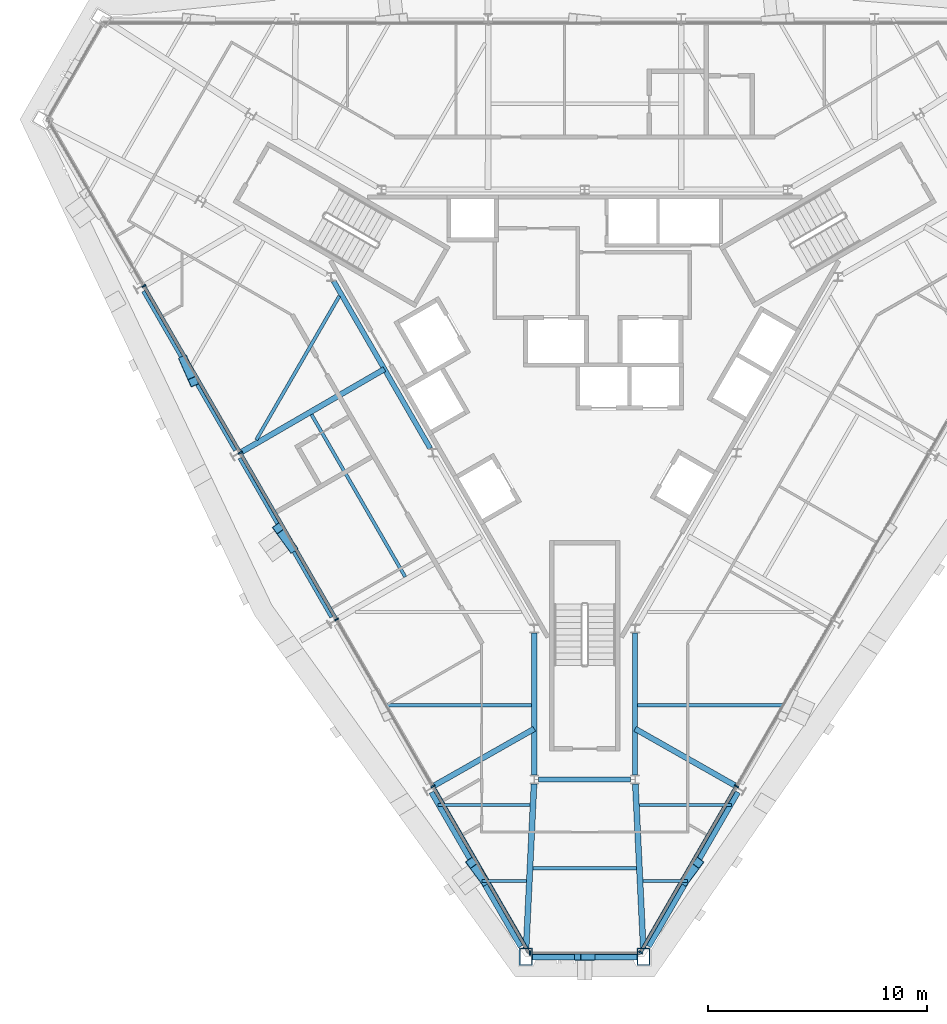
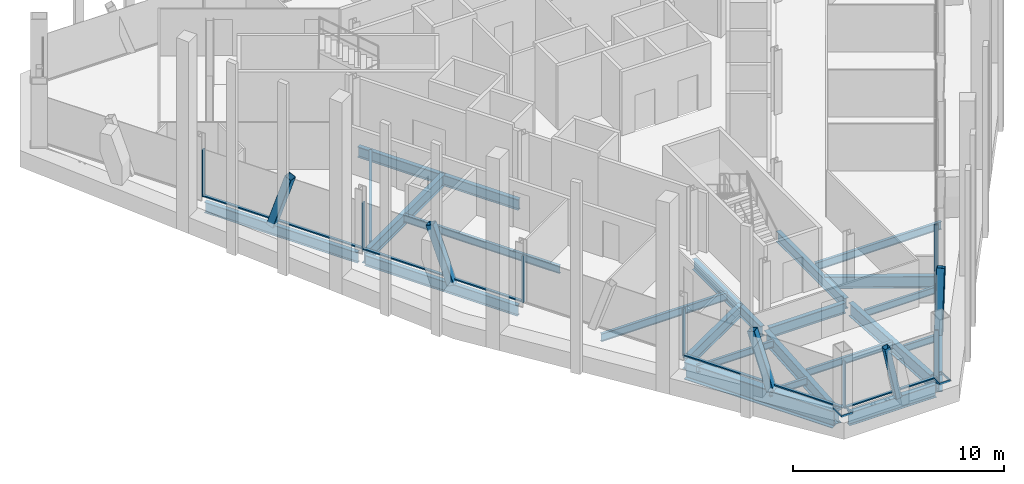
# One storey, part 3 of 14: 23 beams, 19 members, 3 elements without a shape of their own.
"""IFC4 building model written with IfcOpenShell, lengths in metres."""

from ifc_helpers import new_model, si_unit, direction, frame, origin, origin_2d, place, context, subcontext, project, spatial, rectangle, hollow_rectangle, i_section, extrude, material, material_profile, profile_set, type_object, element, aggregate, save


model = new_model("IFC4")

# Units and contexts
model_context = context("Model", 3, precision=1e-05, world=origin(), true_north=direction((0.0, 1.0)))
body_context = subcontext(model_context, "Body", "Model", "MODEL_VIEW")
ifc_project = project(units=[si_unit("LENGTHUNIT", "METRE"), si_unit("AREAUNIT", "SQUARE_METRE"), si_unit("VOLUMEUNIT", "CUBIC_METRE"), si_unit("PLANEANGLEUNIT", "RADIAN"), si_unit("MASSUNIT", "GRAM", prefix="KILO")], contexts=[model_context])

# Site, building, storey
site_placement = place(None, origin())
site = spatial("IfcSite", under=ifc_project, at=site_placement, CompositionType="ELEMENT")
building_placement = place(site_placement, origin())
building = spatial("IfcBuilding", under=site, at=building_placement, Name="Verrane Prism Tower", CompositionType="ELEMENT")
storey_placement = place(building_placement, frame((0.0, 0.0, 217.5)))
storey = spatial("IfcBuildingStorey", under=building, at=storey_placement, Name="L54", CompositionType="ELEMENT", Elevation=217.5)

# Member
ifc_material_1 = material(Name="Steel A500 Grade C", Category="steel")
ifc_material_profile_1 = material_profile(ifc_material_1, hollow_rectangle(XDim=0.3046875, YDim=0.3046875, WallThickness=0.0126953125, InnerFilletRadius=0.00634765625, OuterFilletRadius=0.01904296875, at=origin_2d()), Name="HSS12x12x1/2")
ifc_profile_set_1 = profile_set([ifc_material_profile_1], Name="Steel A500 Grade C")
member_type_1 = type_object("IfcMemberType", Name="Chamfer brace HSS12x12x1/2", PredefinedType="BRACE", material=ifc_profile_set_1)
member_1_placement = place(storey_placement, frame((0.32275390625, -26.989990234375, -0.24267578125), z_axis=(-0.203343050417, 0.0, 0.97910755479), x_axis=(0.0, -1.0, 0.0)))
element("IfcMember", 1, at=member_1_placement, inside=storey, type_object=member_type_1, Name="Chamfer brace S0 L54", PredefinedType="BRACE", context=body_context, shape_type="SweptSolid", body=[
    extrude(hollow_rectangle(XDim=0.3046875, YDim=0.3046875, WallThickness=0.0126953125, InnerFilletRadius=0.00634765625, OuterFilletRadius=0.01904296875, at=origin_2d()), origin(), (0.0, 0.0, 1.0), 3.174560546875),
])

# Beams
ifc_material_2 = material(Name="Steel A992", Category="steel")
ifc_material_profile_2 = material_profile(ifc_material_2, i_section(OverallWidth=0.2666015625, OverallDepth=0.7568359375, WebThickness=0.013916015625, FlangeThickness=0.019287109375, FilletRadius=0.0166015625, at=origin_2d()), Name="W30x108")
ifc_profile_set_2 = profile_set([ifc_material_profile_2], Name="Steel A992")
beam_type_1 = type_object("IfcBeamType", Name="Chamfer spandrel beam W30x108", PredefinedType="SPANDREL", material=ifc_profile_set_2)
beam_1_placement = place(storey_placement, frame((-2.389892578125, -26.989990234375, -0.53857421875), z_axis=(1.0, 0.0, 0.0), x_axis=(0.0, 1.0, 0.0)))
element("IfcBeam", 2, at=beam_1_placement, inside=storey, type_object=beam_type_1, Name="Chamfer spandrel beam L54", PredefinedType="SPANDREL", context=body_context, shape_type="SweptSolid", body=[
    extrude(i_section(OverallWidth=0.2666015625, OverallDepth=0.7568359375, WebThickness=0.013916015625, FlangeThickness=0.019287109375, FilletRadius=0.0166015625, at=origin_2d()), origin(), (0.0, 0.0, 1.0), 4.77978515625),
])
ifc_material_3 = material(Name="Steel A992", Category="steel")
ifc_material_profile_3 = material_profile(ifc_material_3, i_section(OverallWidth=0.23046875, OverallDepth=0.6171875, WebThickness=0.01318359375, FlangeThickness=0.022216796875, FilletRadius=0.012939453125, at=origin_2d()), Name="W24x94")
ifc_profile_set_3 = profile_set([ifc_material_profile_3], Name="Steel A992")
beam_type_2 = type_object("IfcBeamType", Name="Core ring girder W24x94", PredefinedType="BEAM", material=ifc_profile_set_3)
beam_2_placement = place(storey_placement, frame((-11.448486328125, 3.826904296875, -0.55859375), z_axis=(0.499967007444, -0.866044451208, 0.0), x_axis=(0.866044451208, 0.499967007444, 0.0)))
element("IfcBeam", 3, at=beam_2_placement, inside=storey, type_object=beam_type_2, Name="Core ring girder L54", PredefinedType="BEAM", context=body_context, shape_type="SweptSolid", body=[
    extrude(i_section(OverallWidth=0.23046875, OverallDepth=0.6171875, WebThickness=0.01318359375, FlangeThickness=0.022216796875, FilletRadius=0.012939453125, at=origin_2d()), origin(), (0.0, 0.0, 1.0), 8.814453125),
])
beam_3_placement = place(storey_placement, frame((-2.300048828125, -12.212890625, -0.55859375), z_axis=(0.0, -1.0, 0.0), x_axis=(1.0, 0.0, 0.0)))
element("IfcBeam", 4, at=beam_3_placement, inside=storey, type_object=beam_type_2, Name="Core ring girder L54", PredefinedType="BEAM", context=body_context, shape_type="SweptSolid", body=[
    extrude(i_section(OverallWidth=0.23046875, OverallDepth=0.6171875, WebThickness=0.01318359375, FlangeThickness=0.022216796875, FilletRadius=0.012939453125, at=origin_2d()), origin(), (0.0, 0.0, 1.0), 6.48779296875),
])
beam_4_placement = place(storey_placement, frame((-2.099365234375, -18.89990234375, -0.55859375), z_axis=(1.0, 0.0, 0.0), x_axis=(0.0, 1.0, 0.0)))
element("IfcBeam", 5, at=beam_4_placement, inside=storey, type_object=beam_type_2, Name="Core ring girder L54", PredefinedType="BEAM", context=body_context, shape_type="SweptSolid", body=[
    extrude(i_section(OverallWidth=0.23046875, OverallDepth=0.6171875, WebThickness=0.01318359375, FlangeThickness=0.022216796875, FilletRadius=0.012939453125, at=origin_2d()), origin(), (0.0, 0.0, 1.0), 4.19873046875),
])
beam_5_placement = place(storey_placement, frame((2.300048828125, -18.70068359375, -0.55859375), z_axis=(0.0, 1.0, 0.0), x_axis=(-1.0, 0.0, 0.0)))
element("IfcBeam", 6, at=beam_5_placement, inside=storey, type_object=beam_type_2, Name="Core ring girder L54", PredefinedType="BEAM", context=body_context, shape_type="SweptSolid", body=[
    extrude(i_section(OverallWidth=0.23046875, OverallDepth=0.6171875, WebThickness=0.01318359375, FlangeThickness=0.022216796875, FilletRadius=0.012939453125, at=origin_2d()), origin(), (0.0, 0.0, 1.0), 6.48779296875),
])
ifc_material_4 = material(Name="Steel A992", Category="steel")
ifc_material_profile_4 = material_profile(ifc_material_4, i_section(OverallWidth=0.2666015625, OverallDepth=0.76708984375, WebThickness=0.014892578125, FlangeThickness=0.023681640625, FilletRadius=0.0166015625, at=origin_2d()), Name="W30x124")
ifc_profile_set_4 = profile_set([ifc_material_profile_4], Name="Steel A992")
beam_type_3 = type_object("IfcBeamType", Name="Corner girder W30x124", PredefinedType="BEAM", material=ifc_profile_set_4)
for number, where, z_axis, x_axis, name in (
    (7, (-2.670654296875, -26.590087890625, -0.603515625), (0.048148251624, 0.998840200365, 0.0), (-0.998840200365, 0.048148251624, 0.0), "Corner girder L54"),
    (8, (2.670654296875, -26.590087890625, -0.603515625), (-0.048148251624, 0.998840200365, 0.0), (-0.998840200365, -0.048148251624, 0.0), "Corner girder L54"),
):
    element("IfcBeam", number, at=place(storey_placement, frame(where, z_axis=z_axis, x_axis=x_axis)), inside=storey, type_object=beam_type_3, Name=name, PredefinedType="BEAM", context=body_context, shape_type="SweptSolid", body=[
        extrude(i_section(OverallWidth=0.2666015625, OverallDepth=0.76708984375, WebThickness=0.014892578125, FlangeThickness=0.023681640625, FilletRadius=0.0166015625, at=origin_2d()), origin(), (0.0, 0.0, 1.0), 7.49951171875),
    ])

# Members
ifc_material_5 = material(Name="Steel A500 Grade C", Category="steel")
ifc_material_profile_5 = material_profile(ifc_material_5, hollow_rectangle(XDim=0.406494140625, YDim=0.406494140625, WallThickness=0.01904296875, InnerFilletRadius=0.009521484375, OuterFilletRadius=0.028564453125, at=origin_2d()), Name="HSS16x16x3/4")
ifc_profile_set_5 = profile_set([ifc_material_profile_5], Name="Steel A500 Grade C")
member_type_2 = type_object("IfcMemberType", Name="Facade brace HSS16x16x3/4", PredefinedType="BRACE", material=ifc_profile_set_5)
member_2_placement = place(storey_placement, frame((-18.274169921875, 0.220458984375, -0.216796875), z_axis=(0.128284524914, -0.290179450483, 0.948334839171), x_axis=(0.914610036673, 0.404337088105, 0.0)))
element("IfcMember", 9, at=member_2_placement, inside=storey, type_object=member_type_2, Name="Facade brace SW1 L54", PredefinedType="BRACE", context=body_context, shape_type="SweptSolid", body=[
    extrude(hollow_rectangle(XDim=0.406494140625, YDim=0.406494140625, WallThickness=0.01904296875, InnerFilletRadius=0.009521484375, OuterFilletRadius=0.028564453125, at=origin_2d()), origin(), (0.0, 0.0, 1.0), 3.370361328125),
])
member_3_placement = place(storey_placement, frame((-13.339599609375, -8.32666015625, -0.216796875), z_axis=(-0.190108323497, 0.261308589141, 0.946349114533), x_axis=(-0.808639342556, -0.588304694585, 0.0)))
element("IfcMember", 10, at=member_3_placement, inside=storey, type_object=member_type_2, Name="Facade brace SW2 L54", PredefinedType="BRACE", context=body_context, shape_type="SweptSolid", body=[
    extrude(hollow_rectangle(XDim=0.406494140625, YDim=0.406494140625, WallThickness=0.01904296875, InnerFilletRadius=0.009521484375, OuterFilletRadius=0.028564453125, at=origin_2d()), origin(), (0.0, 0.0, 1.0), 3.37744140625),
])
for number, where, z_axis, x_axis, name in (
    (11, (-4.56884765625, -23.510009765625, -0.27001953125), (-0.176905902149, 0.238744056104, 0.954832748422), (-0.803463093765, -0.595354564069, 0.0), "Facade brace SW4 L54"),
    (12, (4.56884765625, -23.510009765625, -0.27001953125), (0.176905902149, 0.238744056104, 0.954832748422), (-0.803463093765, 0.595354564069, 0.0), "Facade brace SE0 L54"),
):
    element("IfcMember", number, at=place(storey_placement, frame(where, z_axis=z_axis, x_axis=x_axis)), inside=storey, type_object=member_type_2, Name=name, PredefinedType="BRACE", context=body_context, shape_type="SweptSolid", body=[
        extrude(hollow_rectangle(XDim=0.406494140625, YDim=0.406494140625, WallThickness=0.01904296875, InnerFilletRadius=0.009521484375, OuterFilletRadius=0.028564453125, at=origin_2d()), origin(), (0.0, 0.0, 1.0), 3.4033203125),
    ])

# Beams
ifc_material_6 = material(Name="Steel A992", Category="steel")
ifc_material_profile_6 = material_profile(ifc_material_6, i_section(OverallWidth=0.140380859375, OverallDepth=0.40380859375, WebThickness=0.007080078125, FlangeThickness=0.01123046875, FilletRadius=0.01025390625, at=origin_2d()), Name="W16x31")
ifc_profile_set_6 = profile_set([ifc_material_profile_6], Name="Steel A992")
beam_type_4 = type_object("IfcBeamType", Name="Floor beam W16x31", PredefinedType="BEAM", material=ifc_profile_set_6)
beam_6_placement = place(storey_placement, frame((-4.693603515625, -23.523193359375, -0.36181640625), z_axis=(1.0, 0.0, 0.0), x_axis=(0.0, 1.0, 0.0)))
element("IfcBeam", 13, at=beam_6_placement, inside=storey, type_object=beam_type_4, Name="Floor beam L54", PredefinedType="BEAM", context=body_context, shape_type="SweptSolid", body=[
    extrude(i_section(OverallWidth=0.140380859375, OverallDepth=0.40380859375, WebThickness=0.007080078125, FlangeThickness=0.01123046875, FilletRadius=0.01025390625, at=origin_2d()), origin(), (0.0, 0.0, 1.0), 2.037109375),
])
beam_7_placement = place(storey_placement, frame((-6.697265625, -20.056640625, -0.36181640625), z_axis=(1.0, 0.0, 0.0), x_axis=(0.0, 1.0, 0.0)))
element("IfcBeam", 14, at=beam_7_placement, inside=storey, type_object=beam_type_4, Name="Floor beam L54", PredefinedType="BEAM", context=body_context, shape_type="SweptSolid", body=[
    extrude(i_section(OverallWidth=0.140380859375, OverallDepth=0.40380859375, WebThickness=0.007080078125, FlangeThickness=0.01123046875, FilletRadius=0.01025390625, at=origin_2d()), origin(), (0.0, 0.0, 1.0), 4.207763671875),
])
beam_8_placement = place(storey_placement, frame((2.656494140625, -23.523193359375, -0.36181640625), z_axis=(1.0, 0.0, 0.0), x_axis=(0.0, 1.0, 0.0)))
element("IfcBeam", 15, at=beam_8_placement, inside=storey, type_object=beam_type_4, Name="Floor beam L54", PredefinedType="BEAM", context=body_context, shape_type="SweptSolid", body=[
    extrude(i_section(OverallWidth=0.140380859375, OverallDepth=0.40380859375, WebThickness=0.007080078125, FlangeThickness=0.01123046875, FilletRadius=0.01025390625, at=origin_2d()), origin(), (0.0, 0.0, 1.0), 2.037109375),
])
beam_9_placement = place(storey_placement, frame((2.489501953125, -20.056640625, -0.36181640625), z_axis=(1.0, 0.0, 0.0), x_axis=(0.0, 1.0, 0.0)))
element("IfcBeam", 16, at=beam_9_placement, inside=storey, type_object=beam_type_4, Name="Floor beam L54", PredefinedType="BEAM", context=body_context, shape_type="SweptSolid", body=[
    extrude(i_section(OverallWidth=0.140380859375, OverallDepth=0.40380859375, WebThickness=0.007080078125, FlangeThickness=0.01123046875, FilletRadius=0.01025390625, at=origin_2d()), origin(), (0.0, 0.0, 1.0), 4.207763671875),
])
beam_10_placement = place(storey_placement, frame((-2.361328125, -22.945068359375, -0.36181640625), z_axis=(1.0, 0.0, 0.0), x_axis=(0.0, 1.0, 0.0)))
element("IfcBeam", 17, at=beam_10_placement, inside=storey, type_object=beam_type_4, Name="Floor beam L54", PredefinedType="BEAM", context=body_context, shape_type="SweptSolid", body=[
    extrude(i_section(OverallWidth=0.140380859375, OverallDepth=0.40380859375, WebThickness=0.007080078125, FlangeThickness=0.01123046875, FilletRadius=0.01025390625, at=origin_2d()), origin(), (0.0, 0.0, 1.0), 4.72265625),
])
ifc_material_7 = material(Name="Steel A992", Category="steel")
ifc_material_profile_7 = material_profile(ifc_material_7, i_section(OverallWidth=0.15234375, OverallDepth=0.449462890625, WebThickness=0.007568359375, FlangeThickness=0.0107421875, FilletRadius=0.01025390625, at=origin_2d()), Name="W18x35")
ifc_profile_set_7 = profile_set([ifc_material_profile_7], Name="Steel A992")
beam_type_5 = type_object("IfcBeamType", Name="Floor beam W18x35", PredefinedType="BEAM", material=ifc_profile_set_7)
beam_11_placement = place(storey_placement, frame((-14.975341796875, -3.413818359375, -0.384765625), z_axis=(0.50001820224, 0.866014894461, 0.0), x_axis=(-0.866014894461, 0.50001820224, 0.0)))
element("IfcBeam", 18, at=beam_11_placement, inside=storey, type_object=beam_type_5, Name="Floor beam L54", PredefinedType="BEAM", context=body_context, shape_type="SweptSolid", body=[
    extrude(i_section(OverallWidth=0.15234375, OverallDepth=0.449462890625, WebThickness=0.007568359375, FlangeThickness=0.0107421875, FilletRadius=0.01025390625, at=origin_2d()), origin(), (0.0, 0.0, 1.0), 7.574462890625),
])
beam_12_placement = place(storey_placement, frame((-8.18359375, -9.659912109375, -0.384765625), z_axis=(-0.500005905661, 0.866021994122, 0.0), x_axis=(-0.866021994122, -0.500005905661, 0.0)))
element("IfcBeam", 19, at=beam_12_placement, inside=storey, type_object=beam_type_5, Name="Floor beam L54", PredefinedType="BEAM", context=body_context, shape_type="SweptSolid", body=[
    extrude(i_section(OverallWidth=0.15234375, OverallDepth=0.449462890625, WebThickness=0.007568359375, FlangeThickness=0.0107421875, FilletRadius=0.01025390625, at=origin_2d()), origin(), (0.0, 0.0, 1.0), 8.54931640625),
])
for number, where, z_axis, x_axis, name in (
    (20, (-9.3251953125, -15.510009765625, -0.384765625), (1.0, 0.0, 0.0), (0.0, 1.0, 0.0), "Floor beam L54"),
    (21, (2.4150390625, -15.510009765625, -0.384765625), (1.0, 0.0, 0.0), (0.0, 1.0, 0.0), "Floor beam L54"),
):
    element("IfcBeam", number, at=place(storey_placement, frame(where, z_axis=z_axis, x_axis=x_axis)), inside=storey, type_object=beam_type_5, Name=name, PredefinedType="BEAM", context=body_context, shape_type="SweptSolid", body=[
        extrude(i_section(OverallWidth=0.15234375, OverallDepth=0.449462890625, WebThickness=0.007568359375, FlangeThickness=0.0107421875, FilletRadius=0.01025390625, at=origin_2d()), origin(), (0.0, 0.0, 1.0), 6.91015625),
    ])

# Members
ifc_material_8 = material(Name="Steel A572 Grade 50", Category="steel")
ifc_material_profile_8 = material_profile(ifc_material_8, hollow_rectangle(XDim=0.60009765625, YDim=0.800048828125, WallThickness=0.050048828125, at=origin_2d()), Name="BOX 800x600x50")
ifc_profile_set_8 = profile_set([ifc_material_profile_8], Name="Steel A572 Grade 50")
member_type_3 = type_object("IfcMemberType", Name="Kink node BOX 800x600x50", PredefinedType="COLLAR", material=ifc_profile_set_8)
for number, where, z_axis, x_axis, name in (
    (22, (-2.6865234375, -26.98388671875, -0.06494140625), (0.0, 0.0, 1.0), (-1.0, 0.0, 0.0), "Kink node MC4 L54"),
    (23, (2.6865234375, -26.98388671875, -0.06494140625), (0.0, 0.0, 1.0), (-1.0, 0.0, 0.0), "Kink node MC4 L54"),
):
    element("IfcMember", number, at=place(storey_placement, frame(where, z_axis=z_axis, x_axis=x_axis)), inside=storey, type_object=member_type_3, Name=name, PredefinedType="COLLAR", context=body_context, shape_type="SweptSolid", body=[
        extrude(hollow_rectangle(XDim=0.60009765625, YDim=0.800048828125, WallThickness=0.050048828125, at=origin_2d()), origin(), (0.0, 0.0, 1.0), 0.1298828125),
    ])

# Curtain wall, members
ifc_material_9 = material(Name="Aluminium framed insulated glazing", Category="aluminium")
curtain_wall_type = type_object("IfcCurtainWallType", Name="Curtain wall CW-A 8400 module", PredefinedType="NOTDEFINED", material=ifc_material_9)
curtain_wall_1_placement = place(storey_placement, origin())
curtain_wall_1 = element("IfcCurtainWall", 24, at=curtain_wall_1_placement, inside=storey, type_object=curtain_wall_type, Name="Glazed curtain wall south-west face L54", PredefinedType="NOTDEFINED")
ifc_material_10 = material(Name="Aluminium alloy 6063-T6", Category="aluminium")
ifc_material_profile_9 = material_profile(ifc_material_10, rectangle(XDim=0.199951171875, YDim=0.070068359375, at=origin_2d()), Name="Mullion 70x200 aluminium")
ifc_profile_set_9 = profile_set([ifc_material_profile_9], Name="Aluminium alloy 6063-T6")
member_type_4 = type_object("IfcMemberType", Name="Mullion 70x200 aluminium", PredefinedType="MULLION", material=ifc_profile_set_9)
member_4_placement = place(storey_placement, frame((-20.09814453125, 3.607421875, 0.0), z_axis=(0.0, 0.0, 1.0), x_axis=(0.866024862365, 0.500000937764, 0.0)))
member_4 = element("IfcMember", 25, at=member_4_placement, type_object=member_type_4, Name="CW54.4 mullion 2", PredefinedType="MULLION", context=body_context, shape_type="SweptSolid", body=[
    extrude(rectangle(XDim=0.199951171875, YDim=0.070068359375, at=origin_2d()), origin(), (0.0, 0.0, 1.0), 2.712890625),
])
member_5_placement = place(storey_placement, frame((-15.70703125, -3.998046875, 0.0), z_axis=(0.0, 0.0, 1.0), x_axis=(0.866024862365, 0.500000937764, 0.0)))
member_5 = element("IfcMember", 26, at=member_5_placement, type_object=member_type_4, Name="CW54.4 mullion 3", PredefinedType="MULLION", context=body_context, shape_type="SweptSolid", body=[
    extrude(rectangle(XDim=0.199951171875, YDim=0.070068359375, at=origin_2d()), origin(), (0.0, 0.0, 1.0), 2.712890625),
])
member_6_placement = place(storey_placement, frame((-11.31591796875, -11.603759765625, 0.0), z_axis=(0.0, 0.0, 1.0), x_axis=(0.866024862365, 0.500000937764, 0.0)))
member_6 = element("IfcMember", 27, at=member_6_placement, type_object=member_type_4, Name="CW54.4 mullion 4", PredefinedType="MULLION", context=body_context, shape_type="SweptSolid", body=[
    extrude(rectangle(XDim=0.199951171875, YDim=0.070068359375, at=origin_2d()), origin(), (0.0, 0.0, 1.0), 2.712890625),
])
member_7_placement = place(storey_placement, frame((-6.925048828125, -19.209228515625, 0.0), z_axis=(0.0, 0.0, 1.0), x_axis=(0.866024862365, 0.500000937764, 0.0)))
member_7 = element("IfcMember", 28, at=member_7_placement, type_object=member_type_4, Name="CW54.4 mullion 5", PredefinedType="MULLION", context=body_context, shape_type="SweptSolid", body=[
    extrude(rectangle(XDim=0.199951171875, YDim=0.070068359375, at=origin_2d()), origin(), (0.0, 0.0, 1.0), 2.712890625),
])

# Curtain wall, member
curtain_wall_2_placement = place(storey_placement, origin())
curtain_wall_2 = element("IfcCurtainWall", 29, at=curtain_wall_2_placement, inside=storey, type_object=curtain_wall_type, Name="Glazed curtain wall south corner L54", PredefinedType="NOTDEFINED")
member_8_placement = place(storey_placement, frame((-2.498779296875, -26.814697265625, 0.0), z_axis=(0.0, 0.0, 1.0), x_axis=(0.0, 1.0, 0.0)))
member_8 = element("IfcMember", 30, at=member_8_placement, type_object=member_type_4, Name="CW54.5 mullion 1", PredefinedType="MULLION", context=body_context, shape_type="SweptSolid", body=[
    extrude(rectangle(XDim=0.199951171875, YDim=0.070068359375, at=origin_2d()), origin(), (0.0, 0.0, 1.0), 2.712890625),
])

# Curtain wall, members
curtain_wall_3_placement = place(storey_placement, origin())
curtain_wall_3 = element("IfcCurtainWall", 31, at=curtain_wall_3_placement, inside=storey, type_object=curtain_wall_type, Name="Glazed curtain wall south-east face L54", PredefinedType="NOTDEFINED")
member_9_placement = place(storey_placement, frame((2.551513671875, -26.784423828125, 0.0), z_axis=(0.0, 0.0, 1.0), x_axis=(-0.866024862365, 0.500000937764, 0.0)))
member_9 = element("IfcMember", 32, at=member_9_placement, type_object=member_type_4, Name="CW54.6 mullion 1", PredefinedType="MULLION", context=body_context, shape_type="SweptSolid", body=[
    extrude(rectangle(XDim=0.199951171875, YDim=0.070068359375, at=origin_2d()), origin(), (0.0, 0.0, 1.0), 2.712890625),
])
member_10_placement = place(storey_placement, frame((6.925048828125, -19.209228515625, 0.0), z_axis=(0.0, 0.0, 1.0), x_axis=(-0.866024862365, 0.500000937764, 0.0)))
member_10 = element("IfcMember", 33, at=member_10_placement, type_object=member_type_4, Name="CW54.6 mullion 2", PredefinedType="MULLION", context=body_context, shape_type="SweptSolid", body=[
    extrude(rectangle(XDim=0.199951171875, YDim=0.070068359375, at=origin_2d()), origin(), (0.0, 0.0, 1.0), 2.712890625),
])

# Beams
ifc_material_11 = material(Name="Steel A992", Category="steel")
ifc_material_profile_10 = material_profile(ifc_material_11, i_section(OverallWidth=0.25390625, OverallDepth=0.683349609375, WebThickness=0.012451171875, FlangeThickness=0.01904296875, FilletRadius=0.01513671875, at=origin_2d()), Name="W27x94")
ifc_profile_set_10 = profile_set([ifc_material_profile_10], Name="Steel A992")
beam_type_6 = type_object("IfcBeamType", Name="Radial girder W27x94", PredefinedType="BEAM", material=ifc_profile_set_10)
beam_13_placement = place(storey_placement, frame((-15.6318359375, -3.953857421875, -0.5615234375), z_axis=(0.865193329897, 0.501438432813, 0.0), x_axis=(-0.501438432813, 0.865193329897, 0.0)))
element("IfcBeam", 34, at=beam_13_placement, inside=storey, type_object=beam_type_6, Name="Radial girder L54", PredefinedType="BEAM", context=body_context, shape_type="SweptSolid", body=[
    extrude(i_section(OverallWidth=0.25390625, OverallDepth=0.683349609375, WebThickness=0.012451171875, FlangeThickness=0.01904296875, FilletRadius=0.01513671875, at=origin_2d()), origin(), (0.0, 0.0, 1.0), 7.512939453125),
])
for number, where, z_axis, x_axis, name in (
    (35, (-6.847412109375, -19.169189453125, -0.5615234375), (0.869716251579, 0.493552065886, 0.0), (-0.493552065886, 0.869716251579, 0.0), "Radial girder L54"),
    (36, (6.847412109375, -19.169189453125, -0.5615234375), (-0.869716251579, 0.493552065886, 0.0), (-0.493552065886, -0.869716251579, 0.0), "Radial girder L54"),
):
    element("IfcBeam", number, at=place(storey_placement, frame(where, z_axis=z_axis, x_axis=x_axis)), inside=storey, type_object=beam_type_6, Name=name, PredefinedType="BEAM", context=body_context, shape_type="SweptSolid", body=[
        extrude(i_section(OverallWidth=0.25390625, OverallDepth=0.683349609375, WebThickness=0.012451171875, FlangeThickness=0.01904296875, FilletRadius=0.01513671875, at=origin_2d()), origin(), (0.0, 0.0, 1.0), 5.228515625),
    ])
ifc_material_12 = material(Name="Steel A992", Category="steel")
ifc_material_profile_11 = material_profile(ifc_material_12, i_section(OverallWidth=0.23046875, OverallDepth=0.6171875, WebThickness=0.01318359375, FlangeThickness=0.022216796875, FilletRadius=0.012939453125, at=origin_2d()), Name="W24x94")
ifc_profile_set_11 = profile_set([ifc_material_profile_11], Name="Steel A992")
beam_type_7 = type_object("IfcBeamType", Name="Spandrel beam W24x94", PredefinedType="SPANDREL", material=ifc_profile_set_11)
beam_14_placement = place(storey_placement, frame((-20.099365234375, 3.37939453125, -0.468505859375), z_axis=(0.500294577608, -0.86585526251, 0.0), x_axis=(0.86585526251, 0.500294577608, 0.0)))
element("IfcBeam", 37, at=beam_14_placement, inside=storey, type_object=beam_type_7, Name="Spandrel beam L54", PredefinedType="SPANDREL", context=body_context, shape_type="SweptSolid", body=[
    extrude(i_section(OverallWidth=0.23046875, OverallDepth=0.6171875, WebThickness=0.01318359375, FlangeThickness=0.022216796875, FilletRadius=0.012939453125, at=origin_2d()), origin(), (0.0, 0.0, 1.0), 8.38427734375),
])
beam_15_placement = place(storey_placement, frame((-15.7041015625, -4.227783203125, -0.468505859375), z_axis=(0.499708162053, -0.866193830951, 0.0), x_axis=(0.866193830951, 0.499708162053, 0.0)))
element("IfcBeam", 38, at=beam_15_placement, inside=storey, type_object=beam_type_7, Name="Spandrel beam L54", PredefinedType="SPANDREL", context=body_context, shape_type="SweptSolid", body=[
    extrude(i_section(OverallWidth=0.23046875, OverallDepth=0.6171875, WebThickness=0.01318359375, FlangeThickness=0.022216796875, FilletRadius=0.012939453125, at=origin_2d()), origin(), (0.0, 0.0, 1.0), 8.38037109375),
])
ifc_material_13 = material(Name="Steel A992", Category="steel")
ifc_material_profile_12 = material_profile(ifc_material_13, i_section(OverallWidth=0.4013671875, OverallDepth=1.000732421875, WebThickness=0.01904296875, FlangeThickness=0.0361328125, FilletRadius=0.030029296875, at=origin_2d()), Name="W40x249")
ifc_profile_set_12 = profile_set([ifc_material_profile_12], Name="Steel A992")
beam_type_8 = type_object("IfcBeamType", Name="Spandrel beam W40x249", PredefinedType="SPANDREL", material=ifc_profile_set_12)
for number, where, z_axis, x_axis, name in (
    (39, (-6.92041015625, -19.44140625, -0.660400390625), (0.500421293803, -0.865782033025, 0.0), (0.865782033025, 0.500421293803, 0.0), "Spandrel beam L54"),
    (40, (2.855224609375, -26.474609375, -0.660400390625), (0.500421293803, 0.865782033025, 0.0), (-0.865782033025, 0.500421293803, 0.0), "Spandrel beam L54"),
):
    element("IfcBeam", number, at=place(storey_placement, frame(where, z_axis=z_axis, x_axis=x_axis)), inside=storey, type_object=beam_type_8, Name=name, PredefinedType="SPANDREL", context=body_context, shape_type="SweptSolid", body=[
        extrude(i_section(OverallWidth=0.4013671875, OverallDepth=1.000732421875, WebThickness=0.01904296875, FlangeThickness=0.0361328125, FilletRadius=0.030029296875, at=origin_2d()), origin(), (0.0, 0.0, 1.0), 8.12353515625),
    ])

# Member
ifc_material_14 = material(Name="Aluminium alloy 6063-T6", Category="aluminium")
ifc_material_profile_13 = material_profile(ifc_material_14, rectangle(XDim=0.14990234375, YDim=0.070068359375, at=origin_2d()), Name="Transom 70x150 aluminium")
ifc_profile_set_13 = profile_set([ifc_material_profile_13], Name="Aluminium alloy 6063-T6")
member_type_5 = type_object("IfcMemberType", Name="Transom 70x150 aluminium", PredefinedType="USERDEFINED", material=ifc_profile_set_13)
member_11_placement = place(storey_placement, frame((-20.08056640625, 3.5771484375, 0.034912109375), z_axis=(0.499990905326, -0.866030654533, 0.0), x_axis=(0.866030654533, 0.499990905326, 0.0)))
member_11 = element("IfcMember", 41, at=member_11_placement, type_object=member_type_5, Name="CW54.4 transom 2", ObjectType="TRANSOM", PredefinedType="USERDEFINED", context=body_context, shape_type="SweptSolid", body=[
    extrude(rectangle(XDim=0.14990234375, YDim=0.070068359375, at=origin_2d()), origin(), (0.0, 0.0, 1.0), 8.712158203125),
])

member_12_placement = place(storey_placement, frame((-15.689697265625, -4.028564453125, 0.034912109375), z_axis=(0.500024057273, -0.866011513866, 0.0), x_axis=(0.866011513866, 0.500024057273, 0.0)))
member_12 = element("IfcMember", 42, at=member_12_placement, type_object=member_type_5, Name="CW54.4 transom 3", ObjectType="TRANSOM", PredefinedType="USERDEFINED", context=body_context, shape_type="SweptSolid", body=[
    extrude(rectangle(XDim=0.14990234375, YDim=0.070068359375, at=origin_2d()), origin(), (0.0, 0.0, 1.0), 8.7119140625),
])

member_13_placement = place(storey_placement, frame((-6.907470703125, -19.239501953125, 0.034912109375), z_axis=(0.499999494409, -0.866025695687, 0.0), x_axis=(0.866025695687, 0.499999494409, 0.0)))
member_13 = element("IfcMember", 43, at=member_13_placement, type_object=member_type_5, Name="CW54.4 transom 5", ObjectType="TRANSOM", PredefinedType="USERDEFINED", context=body_context, shape_type="SweptSolid", body=[
    extrude(rectangle(XDim=0.14990234375, YDim=0.070068359375, at=origin_2d()), origin(), (0.0, 0.0, 1.0), 8.7470703125),
])

aggregate(curtain_wall_1, [member_4, member_5, member_6, member_7, member_11, member_12, member_13])

member_14_placement = place(storey_placement, frame((-2.4638671875, -26.814697265625, 0.034912109375), z_axis=(1.0, 0.0, 0.0), x_axis=(0.0, 1.0, 0.0)))
member_14 = element("IfcMember", 44, at=member_14_placement, type_object=member_type_5, Name="CW54.5 transom 1", ObjectType="TRANSOM", PredefinedType="USERDEFINED", context=body_context, shape_type="SweptSolid", body=[
    extrude(rectangle(XDim=0.14990234375, YDim=0.070068359375, at=origin_2d()), origin(), (0.0, 0.0, 1.0), 4.997802734375),
])

aggregate(curtain_wall_2, [member_8, member_14])

member_15_placement = place(storey_placement, frame((2.56884765625, -26.754150390625, 0.034912109375), z_axis=(0.500003349176, 0.866023470128, 0.0), x_axis=(-0.866023470128, 0.500003349176, 0.0)))
member_15 = element("IfcMember", 45, at=member_15_placement, type_object=member_type_5, Name="CW54.6 transom 1", ObjectType="TRANSOM", PredefinedType="USERDEFINED", context=body_context, shape_type="SweptSolid", body=[
    extrude(rectangle(XDim=0.14990234375, YDim=0.070068359375, at=origin_2d()), origin(), (0.0, 0.0, 1.0), 8.67724609375),
])

aggregate(curtain_wall_3, [member_9, member_10, member_15])

save(model, "model.ifc")
